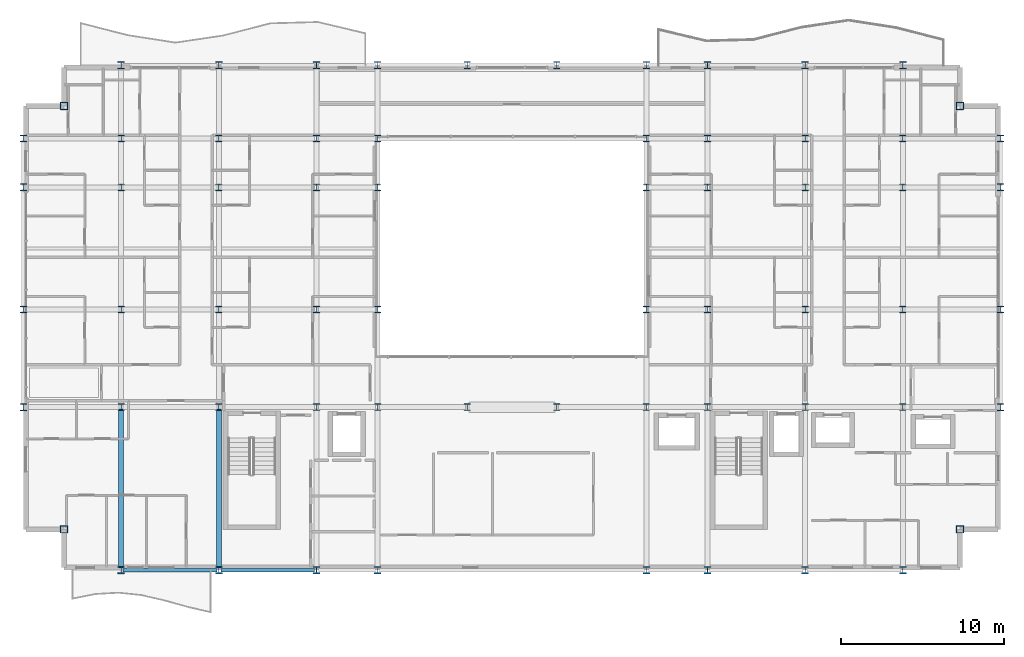
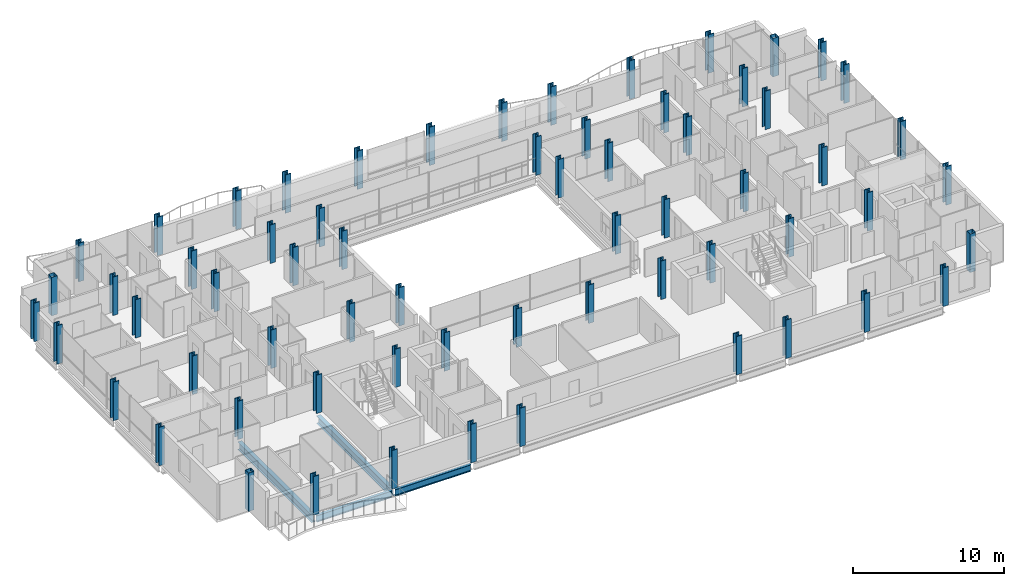
# One storey, part 1 of 40: 64 columns, 4 beams.
"""IFC4 building model written with IfcOpenShell, lengths in metres."""

from ifc_helpers import new_model, si_unit, direction, frame, origin, origin_2d, place, context, subcontext, project, spatial, hollow_rectangle, i_section, extrude, material, material_profile, profile_set, type_object, element, save


model = new_model("IFC4")

# Units and contexts
model_context = context("Model", 3, precision=1e-05, world=origin(), true_north=direction((0.0, 1.0)))
body_context = subcontext(model_context, "Body", "Model", "MODEL_VIEW")
ifc_project = project(units=[si_unit("LENGTHUNIT", "METRE"), si_unit("AREAUNIT", "SQUARE_METRE"), si_unit("VOLUMEUNIT", "CUBIC_METRE"), si_unit("PLANEANGLEUNIT", "RADIAN"), si_unit("MASSUNIT", "GRAM", prefix="KILO")], contexts=[model_context])

# Site, building, storey
site_placement = place(None, origin())
site = spatial("IfcSite", under=ifc_project, at=site_placement, CompositionType="ELEMENT")
building_placement = place(site_placement, origin())
building = spatial("IfcBuilding", under=site, at=building_placement, Name="Brevholm Reach", CompositionType="ELEMENT")
storey_placement = place(building_placement, frame((0.0, 0.0, 80.699951171875)))
storey = spatial("IfcBuildingStorey", under=building, at=storey_placement, Name="L23", CompositionType="ELEMENT", Elevation=80.699951171875)

# Columns
ifc_material_1 = material(Name="Structural Steel S460NH", Category="steel")
ifc_material_profile_1 = material_profile(ifc_material_1, hollow_rectangle(XDim=0.449951171875, YDim=0.449951171875, WallThickness=0.02490234375, InnerFilletRadius=0.011962890625, OuterFilletRadius=0.02392578125, at=origin_2d()), Name="SHS 450x450x25")
ifc_profile_set_1 = profile_set([ifc_material_profile_1], Name="Structural Steel S460NH")
column_type_1 = type_object("IfcColumnType", Name="COL-SHS1", PredefinedType="COLUMN", material=ifc_profile_set_1)
for number, where, z_axis, x_axis, name in (
    (1, (2.5, 2.5, 0.0), (0.0, 0.0, 1.0), (1.0, 0.0, 0.0), "L23 Column 05"),
    (2, (2.5, 28.5, 0.0), (0.0, 0.0, 1.0), (1.0, 0.0, 0.0), "L23 Column 06"),
    (3, (57.5, 2.5, 0.0), (0.0, 0.0, 1.0), (1.0, 0.0, 0.0), "L23 Column 59"),
    (4, (57.5, 28.5, 0.0), (0.0, 0.0, 1.0), (1.0, 0.0, 0.0), "L23 Column 60"),
):
    element("IfcColumn", number, at=place(storey_placement, frame(where, z_axis=z_axis, x_axis=x_axis)), inside=storey, type_object=column_type_1, Name=name, PredefinedType="COLUMN", context=body_context, shape_type="SweptSolid", body=[
        extrude(hollow_rectangle(XDim=0.449951171875, YDim=0.449951171875, WallThickness=0.02490234375, InnerFilletRadius=0.011962890625, OuterFilletRadius=0.02392578125, at=origin_2d()), origin(), (0.0, 0.0, 1.0), 3.10009765625),
    ])
ifc_material_2 = material(Name="Structural Steel S460ML", Category="steel")
ifc_material_profile_2 = material_profile(ifc_material_2, i_section(OverallWidth=0.41845703125, OverallDepth=0.45556640625, WebThickness=0.0419921875, FlangeThickness=0.0673828125, FilletRadius=0.01513671875, at=origin_2d()), Name="UKC 356x406x551")
ifc_profile_set_2 = profile_set([ifc_material_profile_2], Name="Structural Steel S460ML")
column_type_2 = type_object("IfcColumnType", Name="COL-UC2", PredefinedType="COLUMN", material=ifc_profile_set_2)
for number, where, z_axis, x_axis, name in (
    (5, (0.0, 10.0, 0.0), (0.0, 0.0, 1.0), (1.0, 0.0, 0.0), "L23 Column 01"),
    (6, (0.0, 16.0, 0.0), (0.0, 0.0, 1.0), (1.0, 0.0, 0.0), "L23 Column 02"),
    (7, (0.0, 23.5, 0.0), (0.0, 0.0, 1.0), (1.0, 0.0, 0.0), "L23 Column 03"),
    (8, (0.0, 26.5, 0.0), (0.0, 0.0, 1.0), (1.0, 0.0, 0.0), "L23 Column 04"),
    (9, (6.0, 0.0, 0.0), (0.0, 0.0, 1.0), (1.0, 0.0, 0.0), "L23 Column 07"),
    (10, (6.0, 31.0, 0.0), (0.0, 0.0, 1.0), (1.0, 0.0, 0.0), "L23 Column 12"),
    (11, (12.0, 0.0, 0.0), (0.0, 0.0, 1.0), (1.0, 0.0, 0.0), "L23 Column 13"),
    (12, (12.0, 31.0, 0.0), (0.0, 0.0, 1.0), (1.0, 0.0, 0.0), "L23 Column 18"),
    (13, (18.0, 0.0, 0.0), (0.0, 0.0, 1.0), (1.0, 0.0, 0.0), "L23 Column 19"),
    (14, (18.0, 31.0, 0.0), (0.0, 0.0, 1.0), (1.0, 0.0, 0.0), "L23 Column 24"),
    (15, (21.75, 0.0, 0.0), (0.0, 0.0, 1.0), (1.0, 0.0, 0.0), "L23 Column 25"),
    (16, (21.75, 31.0, 0.0), (0.0, 0.0, 1.0), (1.0, 0.0, 0.0), "L23 Column 30"),
    (17, (27.25, 31.0, 0.0), (0.0, 0.0, 1.0), (1.0, 0.0, 0.0), "L23 Column 32"),
    (18, (32.75, 31.0, 0.0), (0.0, 0.0, 1.0), (1.0, 0.0, 0.0), "L23 Column 34"),
    (19, (38.25, 0.0, 0.0), (0.0, 0.0, 1.0), (1.0, 0.0, 0.0), "L23 Column 35"),
    (20, (38.25, 31.0, 0.0), (0.0, 0.0, 1.0), (1.0, 0.0, 0.0), "L23 Column 40"),
    (21, (42.0, 0.0, 0.0), (0.0, 0.0, 1.0), (1.0, 0.0, 0.0), "L23 Column 41"),
    (22, (42.0, 31.0, 0.0), (0.0, 0.0, 1.0), (1.0, 0.0, 0.0), "L23 Column 46"),
    (23, (48.0, 0.0, 0.0), (0.0, 0.0, 1.0), (1.0, 0.0, 0.0), "L23 Column 47"),
    (24, (48.0, 31.0, 0.0), (0.0, 0.0, 1.0), (1.0, 0.0, 0.0), "L23 Column 52"),
    (25, (54.0, 0.0, 0.0), (0.0, 0.0, 1.0), (1.0, 0.0, 0.0), "L23 Column 53"),
    (26, (54.0, 31.0, 0.0), (0.0, 0.0, 1.0), (1.0, 0.0, 0.0), "L23 Column 58"),
    (27, (60.0, 10.0, 0.0), (0.0, 0.0, 1.0), (1.0, 0.0, 0.0), "L23 Column 61"),
    (28, (60.0, 16.0, 0.0), (0.0, 0.0, 1.0), (1.0, 0.0, 0.0), "L23 Column 62"),
    (29, (60.0, 23.5, 0.0), (0.0, 0.0, 1.0), (1.0, 0.0, 0.0), "L23 Column 63"),
    (30, (60.0, 26.5, 0.0), (0.0, 0.0, 1.0), (1.0, 0.0, 0.0), "L23 Column 64"),
):
    element("IfcColumn", number, at=place(storey_placement, frame(where, z_axis=z_axis, x_axis=x_axis)), inside=storey, type_object=column_type_2, Name=name, PredefinedType="COLUMN", context=body_context, shape_type="SweptSolid", body=[
        extrude(i_section(OverallWidth=0.41845703125, OverallDepth=0.45556640625, WebThickness=0.0419921875, FlangeThickness=0.0673828125, FilletRadius=0.01513671875, at=origin_2d()), origin(), (0.0, 0.0, 1.0), 3.10009765625),
    ])
ifc_material_3 = material(Name="Structural Steel S460ML", Category="steel")
ifc_material_profile_3 = material_profile(ifc_material_3, i_section(OverallWidth=0.412109375, OverallDepth=0.4365234375, WebThickness=0.035888671875, FlangeThickness=0.05810546875, FilletRadius=0.01513671875, at=origin_2d()), Name="UKC 356x406x467")
ifc_profile_set_3 = profile_set([ifc_material_profile_3], Name="Structural Steel S460ML")
column_type_3 = type_object("IfcColumnType", Name="COL-UC3", PredefinedType="COLUMN", material=ifc_profile_set_3)
for number, where, z_axis, x_axis, name in (
    (31, (6.0, 10.0, 0.0), (0.0, 0.0, 1.0), (1.0, 0.0, 0.0), "L23 Column 08"),
    (32, (6.0, 16.0, 0.0), (0.0, 0.0, 1.0), (1.0, 0.0, 0.0), "L23 Column 09"),
    (33, (6.0, 23.5, 0.0), (0.0, 0.0, 1.0), (1.0, 0.0, 0.0), "L23 Column 10"),
    (34, (6.0, 26.5, 0.0), (0.0, 0.0, 1.0), (1.0, 0.0, 0.0), "L23 Column 11"),
    (35, (12.0, 10.0, 0.0), (0.0, 0.0, 1.0), (1.0, 0.0, 0.0), "L23 Column 14"),
    (36, (12.0, 16.0, 0.0), (0.0, 0.0, 1.0), (1.0, 0.0, 0.0), "L23 Column 15"),
    (37, (12.0, 23.5, 0.0), (0.0, 0.0, 1.0), (1.0, 0.0, 0.0), "L23 Column 16"),
    (38, (12.0, 26.5, 0.0), (0.0, 0.0, 1.0), (1.0, 0.0, 0.0), "L23 Column 17"),
    (39, (18.0, 10.0, 0.0), (0.0, 0.0, 1.0), (1.0, 0.0, 0.0), "L23 Column 20"),
    (40, (18.0, 16.0, 0.0), (0.0, 0.0, 1.0), (1.0, 0.0, 0.0), "L23 Column 21"),
    (41, (18.0, 23.5, 0.0), (0.0, 0.0, 1.0), (1.0, 0.0, 0.0), "L23 Column 22"),
    (42, (18.0, 26.5, 0.0), (0.0, 0.0, 1.0), (1.0, 0.0, 0.0), "L23 Column 23"),
    (43, (21.75, 10.0, 0.0), (0.0, 0.0, 1.0), (1.0, 0.0, 0.0), "L23 Column 26"),
    (44, (21.75, 16.0, 0.0), (0.0, 0.0, 1.0), (1.0, 0.0, 0.0), "L23 Column 27"),
    (45, (21.75, 23.5, 0.0), (0.0, 0.0, 1.0), (1.0, 0.0, 0.0), "L23 Column 28"),
    (46, (21.75, 26.5, 0.0), (0.0, 0.0, 1.0), (1.0, 0.0, 0.0), "L23 Column 29"),
    (47, (27.25, 10.0, 0.0), (0.0, 0.0, 1.0), (1.0, 0.0, 0.0), "L23 Column 31"),
    (48, (32.75, 10.0, 0.0), (0.0, 0.0, 1.0), (1.0, 0.0, 0.0), "L23 Column 33"),
    (49, (38.25, 10.0, 0.0), (0.0, 0.0, 1.0), (1.0, 0.0, 0.0), "L23 Column 36"),
    (50, (38.25, 16.0, 0.0), (0.0, 0.0, 1.0), (1.0, 0.0, 0.0), "L23 Column 37"),
    (51, (38.25, 23.5, 0.0), (0.0, 0.0, 1.0), (1.0, 0.0, 0.0), "L23 Column 38"),
    (52, (38.25, 26.5, 0.0), (0.0, 0.0, 1.0), (1.0, 0.0, 0.0), "L23 Column 39"),
    (53, (42.0, 10.0, 0.0), (0.0, 0.0, 1.0), (1.0, 0.0, 0.0), "L23 Column 42"),
    (54, (42.0, 16.0, 0.0), (0.0, 0.0, 1.0), (1.0, 0.0, 0.0), "L23 Column 43"),
    (55, (42.0, 23.5, 0.0), (0.0, 0.0, 1.0), (1.0, 0.0, 0.0), "L23 Column 44"),
    (56, (42.0, 26.5, 0.0), (0.0, 0.0, 1.0), (1.0, 0.0, 0.0), "L23 Column 45"),
    (57, (48.0, 10.0, 0.0), (0.0, 0.0, 1.0), (1.0, 0.0, 0.0), "L23 Column 48"),
    (58, (48.0, 16.0, 0.0), (0.0, 0.0, 1.0), (1.0, 0.0, 0.0), "L23 Column 49"),
    (59, (48.0, 23.5, 0.0), (0.0, 0.0, 1.0), (1.0, 0.0, 0.0), "L23 Column 50"),
    (60, (48.0, 26.5, 0.0), (0.0, 0.0, 1.0), (1.0, 0.0, 0.0), "L23 Column 51"),
    (61, (54.0, 10.0, 0.0), (0.0, 0.0, 1.0), (1.0, 0.0, 0.0), "L23 Column 54"),
    (62, (54.0, 16.0, 0.0), (0.0, 0.0, 1.0), (1.0, 0.0, 0.0), "L23 Column 55"),
    (63, (54.0, 23.5, 0.0), (0.0, 0.0, 1.0), (1.0, 0.0, 0.0), "L23 Column 56"),
    (64, (54.0, 26.5, 0.0), (0.0, 0.0, 1.0), (1.0, 0.0, 0.0), "L23 Column 57"),
):
    element("IfcColumn", number, at=place(storey_placement, frame(where, z_axis=z_axis, x_axis=x_axis)), inside=storey, type_object=column_type_3, Name=name, PredefinedType="COLUMN", context=body_context, shape_type="SweptSolid", body=[
        extrude(i_section(OverallWidth=0.412109375, OverallDepth=0.4365234375, WebThickness=0.035888671875, FlangeThickness=0.05810546875, FilletRadius=0.01513671875, at=origin_2d()), origin(), (0.0, 0.0, 1.0), 3.10009765625),
    ])

# Beams
ifc_material_4 = material(Name="Structural Steel S355J2", Category="steel")
ifc_material_profile_4 = material_profile(ifc_material_4, i_section(OverallWidth=0.210693359375, OverallDepth=0.53955078125, WebThickness=0.01171875, FlangeThickness=0.018798828125, FilletRadius=0.0126953125, at=origin_2d()), Name="UKB 533x210x109")
ifc_profile_set_4 = profile_set([ifc_material_profile_4], Name="Structural Steel S355J2")
beam_type_1 = type_object("IfcBeamType", Name="BM-SP539", PredefinedType="SPANDREL", material=ifc_profile_set_4)
for number, where, z_axis, x_axis, name in (
    (65, (6.1201171875, 0.0, -0.499755859375), (1.0, 0.0, 0.0), (0.0, 1.0, 0.0), "L23 SP-01B Framing Beam"),
    (66, (12.1201171875, 0.0, -0.499755859375), (1.0, 0.0, 0.0), (0.0, 1.0, 0.0), "L23 SP-01B Framing Beam"),
):
    element("IfcBeam", number, at=place(storey_placement, frame(where, z_axis=z_axis, x_axis=x_axis)), inside=storey, type_object=beam_type_1, Name=name, PredefinedType="SPANDREL", context=body_context, shape_type="SweptSolid", body=[
        extrude(i_section(OverallWidth=0.210693359375, OverallDepth=0.53955078125, WebThickness=0.01171875, FlangeThickness=0.018798828125, FilletRadius=0.0126953125, at=origin_2d()), origin(), (0.0, 0.0, 1.0), 5.759765625),
    ])
ifc_material_5 = material(Name="Structural Steel S355J2", Category="steel")
ifc_material_profile_5 = material_profile(ifc_material_5, i_section(OverallWidth=0.30712890625, OverallDepth=0.6201171875, WebThickness=0.01416015625, FlangeThickness=0.023681640625, FilletRadius=0.0166015625, at=origin_2d()), Name="UKB 610x305x179")
ifc_profile_set_5 = profile_set([ifc_material_profile_5], Name="Structural Steel S355J2")
beam_type_2 = type_object("IfcBeamType", Name="BM-UKB610H", PredefinedType="USERDEFINED", material=ifc_profile_set_5)
for number, where, z_axis, x_axis, name in (
    (67, (6.0, 0.1201171875, -0.5400390625), (0.0, 1.0, 0.0), (-1.0, 0.0, 0.0), "L23 G-06 Framing Beam"),
    (68, (12.0, 0.1201171875, -0.5400390625), (0.0, 1.0, 0.0), (-1.0, 0.0, 0.0), "L23 G-06 Framing Beam"),
):
    element("IfcBeam", number, at=place(storey_placement, frame(where, z_axis=z_axis, x_axis=x_axis)), inside=storey, type_object=beam_type_2, Name=name, ObjectType="GIRDER", PredefinedType="USERDEFINED", context=body_context, shape_type="SweptSolid", body=[
        extrude(i_section(OverallWidth=0.30712890625, OverallDepth=0.6201171875, WebThickness=0.01416015625, FlangeThickness=0.023681640625, FilletRadius=0.0166015625, at=origin_2d()), origin(), (0.0, 0.0, 1.0), 9.759765625),
    ])

save(model, "model.ifc")
